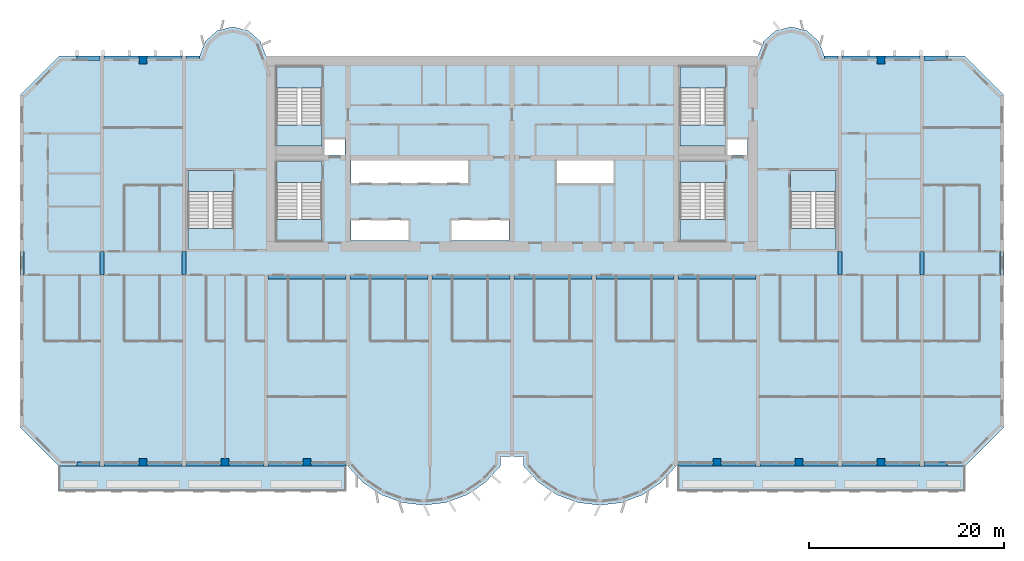
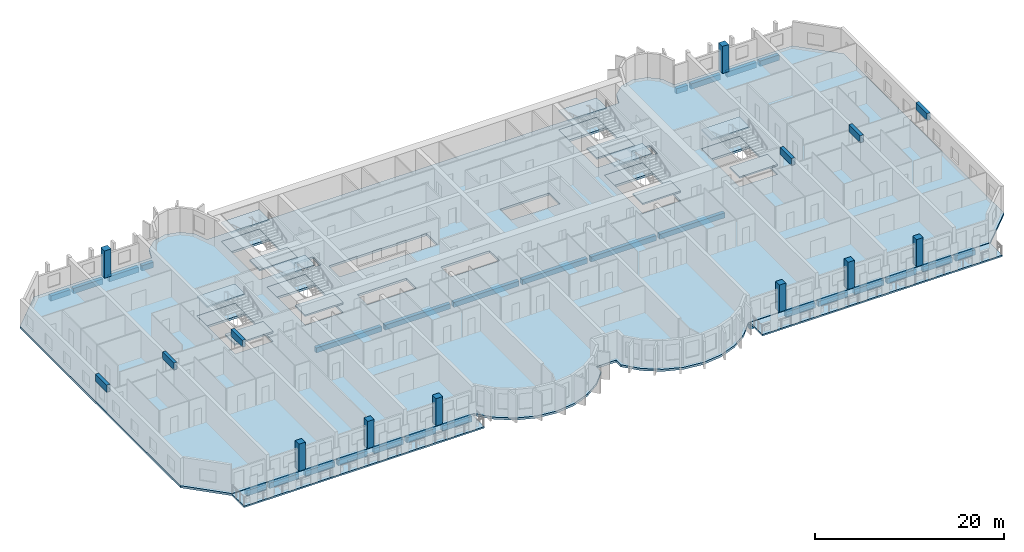
# One storey, part 1 of 15: 34 beams, 21 slabs, 8 columns, 6 elements without a shape of their own.
"""IFC4 building model written with IfcOpenShell, lengths in metres."""

from ifc_helpers import new_model, si_unit, direction, frame, origin, origin_2d, place, context, subcontext, project, spatial, polyline, rectangle, outline, extrude, source, transform, mapped, material, layer, layer_set, material_profile, profile_set, type_object, element, aggregate, save


model = new_model("IFC4")

# Units and contexts
model_context = context("Model", 3, precision=1e-05, world=origin(), true_north=direction((0.0, 1.0)))
body_context = subcontext(model_context, "Body", "Model", "MODEL_VIEW")
ifc_project = project(units=[si_unit("LENGTHUNIT", "METRE"), si_unit("AREAUNIT", "SQUARE_METRE"), si_unit("VOLUMEUNIT", "CUBIC_METRE"), si_unit("PLANEANGLEUNIT", "RADIAN"), si_unit("MASSUNIT", "GRAM", prefix="KILO")], contexts=[model_context])

# Site, building, storey
site_placement = place(None, origin())
site = spatial("IfcSite", under=ifc_project, at=site_placement, CompositionType="ELEMENT")
building_placement = place(site_placement, origin())
building = spatial("IfcBuilding", under=site, at=building_placement, Name="Vanashikhar Sky Hotel", CompositionType="ELEMENT")
storey_placement = place(building_placement, frame((0.0, 0.0, 62.0)))
storey = spatial("IfcBuildingStorey", under=building, at=storey_placement, Name="L14", CompositionType="ELEMENT", Elevation=62.0)

# Columns
ifc_material_1 = material(Name="Concrete M70", Category="concrete")
ifc_material_profile_1 = material_profile(ifc_material_1, rectangle(XDim=0.800048828125, YDim=0.800048828125, at=origin_2d()))
ifc_profile_set_1 = profile_set([ifc_material_profile_1], Name="RC 800x800 column Concrete M70")
column_type = type_object("IfcColumnType", Name="RC 800x800 column Concrete M70", PredefinedType="COLUMN", material=ifc_profile_set_1)
shared_shape_1 = source(origin(), body_context, "Body", "SweptSolid", [
    extrude(rectangle(XDim=0.800048828125, YDim=0.800048828125, at=origin_2d()), origin(), (0.0, 0.0, 1.0), 3.52001953125),
])
for number, where, z_axis, x_axis, name in (
    (1, (12.60009765625, 0.39990234375, 0.0), (0.0, 0.0, 1.0), (1.0, 0.0, 0.0), "CL-L14-CF02"),
    (2, (21.0, 0.39990234375, 0.0), (0.0, 0.0, 1.0), (1.0, 0.0, 0.0), "CL-L14-CF03"),
    (3, (29.39990234375, 0.39990234375, 0.0), (0.0, 0.0, 1.0), (1.0, 0.0, 0.0), "CL-L14-CF04"),
    (4, (71.39990234375, 0.39990234375, 0.0), (0.0, 0.0, 1.0), (1.0, 0.0, 0.0), "CL-L14-CF09"),
    (5, (79.800048828125, 0.39990234375, 0.0), (0.0, 0.0, 1.0), (1.0, 0.0, 0.0), "CL-L14-CF10"),
    (6, (88.199951171875, 0.39990234375, 0.0), (0.0, 0.0, 1.0), (1.0, 0.0, 0.0), "CL-L14-CF11"),
    (7, (12.60009765625, 41.60009765625, 0.0), (0.0, 0.0, 1.0), (1.0, 0.0, 0.0), "CL-L14-CR02"),
    (8, (88.199951171875, 41.60009765625, 0.0), (0.0, 0.0, 1.0), (1.0, 0.0, 0.0), "CL-L14-CR11"),
):
    element("IfcColumn", number, at=place(storey_placement, frame(where, z_axis=z_axis, x_axis=x_axis)), inside=storey, type_object=column_type, Name=name, PredefinedType="COLUMN", context=body_context, shape_type="MappedRepresentation", body=[
        mapped(shared_shape_1, transform((0.0, 0.0, 0.0), scale=1.0)),
    ])

# Beams
ifc_material_2 = material(Name="Concrete M50", Category="concrete")
ifc_material_profile_2 = material_profile(ifc_material_2, rectangle(XDim=0.39990234375, YDim=0.89990234375, at=origin_2d()))
ifc_profile_set_2 = profile_set([ifc_material_profile_2], Name="RC 400x900 beam Concrete M50")
beam_type_1 = type_object("IfcBeamType", Name="RC 400x900 beam Concrete M50", PredefinedType="LINTEL", material=ifc_profile_set_2)
shared_shape_2 = source(origin(), body_context, "Body", "SweptSolid", [
    extrude(rectangle(XDim=0.39990234375, YDim=0.89990234375, at=origin_2d()), origin(), (0.0, 0.0, 1.0), 2.39990234375),
])
for number, where, z_axis, x_axis, name in (
    (9, (0.199951171875, 19.60009765625, 3.070068359375), (0.0, 1.0, 0.0), (-1.0, 0.0, 0.0), "LB-L14-XW01"),
    (10, (8.39990234375, 19.60009765625, 3.070068359375), (0.0, 1.0, 0.0), (-1.0, 0.0, 0.0), "LB-L14-XW02"),
    (11, (16.800048828125, 19.60009765625, 3.070068359375), (0.0, 1.0, 0.0), (-1.0, 0.0, 0.0), "LB-L14-XW03"),
    (12, (84.0, 19.60009765625, 3.070068359375), (0.0, 1.0, 0.0), (-1.0, 0.0, 0.0), "LB-L14-XW11"),
    (13, (92.39990234375, 19.60009765625, 3.070068359375), (0.0, 1.0, 0.0), (-1.0, 0.0, 0.0), "LB-L14-XW12"),
    (14, (100.60009765625, 19.60009765625, 3.070068359375), (0.0, 1.0, 0.0), (-1.0, 0.0, 0.0), "LB-L14-XW13"),
):
    element("IfcBeam", number, at=place(storey_placement, frame(where, z_axis=z_axis, x_axis=x_axis)), inside=storey, type_object=beam_type_1, Name=name, PredefinedType="LINTEL", context=body_context, shape_type="MappedRepresentation", body=[
        mapped(shared_shape_2, transform((0.0, 0.0, 0.0), scale=1.0)),
    ])
ifc_material_profile_3 = material_profile(ifc_material_2, rectangle(XDim=0.449951171875, YDim=0.699951171875, at=origin_2d()))
ifc_profile_set_3 = profile_set([ifc_material_profile_3], Name="RC 450x700 beam Concrete M50")
beam_type_2 = type_object("IfcBeamType", Name="RC 450x700 beam Concrete M50", PredefinedType="BEAM", material=ifc_profile_set_3)
shared_shape_3 = source(origin(), body_context, "Body", "SweptSolid", [
    extrude(rectangle(XDim=0.449951171875, YDim=0.699951171875, at=origin_2d()), origin(), (0.0, 0.0, 1.0), 3.599853515625),
])
for number, where, z_axis, x_axis, name in (
    (15, (8.60009765625, 0.22509765625, -0.6298828125), (1.0, 0.0, 0.0), (0.0, 1.0, 0.0), "EB-L14-F01"),
    (16, (29.800048828125, 0.22509765625, -0.6298828125), (1.0, 0.0, 0.0), (0.0, 1.0, 0.0), "EB-L14-F06"),
    (17, (71.800048828125, 0.22509765625, -0.6298828125), (1.0, 0.0, 0.0), (0.0, 1.0, 0.0), "EB-L14-F09"),
    (18, (75.800048828125, 0.22509765625, -0.6298828125), (1.0, 0.0, 0.0), (0.0, 1.0, 0.0), "EB-L14-F10"),
    (19, (88.60009765625, 0.22509765625, -0.6298828125), (1.0, 0.0, 0.0), (0.0, 1.0, 0.0), "EB-L14-F13"),
    (20, (8.60009765625, 41.77490234375, -0.6298828125), (1.0, 0.0, 0.0), (0.0, 1.0, 0.0), "EB-L14-R01"),
    (21, (88.60009765625, 41.77490234375, -0.6298828125), (1.0, 0.0, 0.0), (0.0, 1.0, 0.0), "EB-L14-R06"),
):
    element("IfcBeam", number, at=place(storey_placement, frame(where, z_axis=z_axis, x_axis=x_axis)), inside=storey, type_object=beam_type_2, Name=name, PredefinedType="BEAM", context=body_context, shape_type="MappedRepresentation", body=[
        mapped(shared_shape_3, transform((0.0, 0.0, 0.0), scale=1.0)),
    ])
shared_shape_4 = source(origin(), body_context, "Body", "SweptSolid", [
    extrude(rectangle(XDim=0.449951171875, YDim=0.699951171875, at=origin_2d()), origin(), (0.0, 0.0, 1.0), 3.60009765625),
])
for number, where, z_axis, x_axis, name in (
    (22, (13.0, 0.22509765625, -0.6298828125), (1.0, 0.0, 0.0), (0.0, 1.0, 0.0), "EB-L14-F02"),
    (23, (17.0, 0.22509765625, -0.6298828125), (1.0, 0.0, 0.0), (0.0, 1.0, 0.0), "EB-L14-F03"),
    (24, (21.39990234375, 0.22509765625, -0.6298828125), (1.0, 0.0, 0.0), (0.0, 1.0, 0.0), "EB-L14-F04"),
    (25, (25.39990234375, 0.22509765625, -0.6298828125), (1.0, 0.0, 0.0), (0.0, 1.0, 0.0), "EB-L14-F05"),
    (26, (67.39990234375, 0.22509765625, -0.6298828125), (1.0, 0.0, 0.0), (0.0, 1.0, 0.0), "EB-L14-F08"),
    (27, (80.199951171875, 0.22509765625, -0.6298828125), (1.0, 0.0, 0.0), (0.0, 1.0, 0.0), "EB-L14-F11"),
    (28, (84.199951171875, 0.22509765625, -0.6298828125), (1.0, 0.0, 0.0), (0.0, 1.0, 0.0), "EB-L14-F12"),
    (29, (13.0, 41.77490234375, -0.6298828125), (1.0, 0.0, 0.0), (0.0, 1.0, 0.0), "EB-L14-R02"),
    (30, (84.199951171875, 41.77490234375, -0.6298828125), (1.0, 0.0, 0.0), (0.0, 1.0, 0.0), "EB-L14-R05"),
):
    element("IfcBeam", number, at=place(storey_placement, frame(where, z_axis=z_axis, x_axis=x_axis)), inside=storey, type_object=beam_type_2, Name=name, PredefinedType="BEAM", context=body_context, shape_type="MappedRepresentation", body=[
        mapped(shared_shape_4, transform((0.0, 0.0, 0.0), scale=1.0)),
    ])
ifc_material_profile_4 = material_profile(ifc_material_2, rectangle(XDim=0.449951171875, YDim=0.699951171875, at=origin_2d()))
ifc_profile_set_4 = profile_set([ifc_material_profile_4], Name="RC 450x700 cantilever beam Concrete M50")
beam_type_3 = type_object("IfcBeamType", Name="RC 450x700 cantilever beam Concrete M50", PredefinedType="SPANDREL", material=ifc_profile_set_4)
shared_shape_5 = source(origin(), body_context, "Body", "SweptSolid", [
    extrude(rectangle(XDim=0.449951171875, YDim=0.699951171875, at=origin_2d()), origin(), (0.0, 0.0, 1.0), 2.3798828125),
])
for number, where, z_axis, x_axis, name in (
    (31, (5.820068359375, 0.22509765625, -0.6298828125), (1.0, 0.0, 0.0), (0.0, 1.0, 0.0), "EB-L14-F07"),
    (32, (92.60009765625, 0.22509765625, -0.6298828125), (1.0, 0.0, 0.0), (0.0, 1.0, 0.0), "EB-L14-F14"),
    (33, (5.820068359375, 41.77490234375, -0.6298828125), (1.0, 0.0, 0.0), (0.0, 1.0, 0.0), "EB-L14-R03"),
    (34, (92.60009765625, 41.77490234375, -0.6298828125), (1.0, 0.0, 0.0), (0.0, 1.0, 0.0), "EB-L14-R08"),
):
    element("IfcBeam", number, at=place(storey_placement, frame(where, z_axis=z_axis, x_axis=x_axis)), inside=storey, type_object=beam_type_3, Name=name, PredefinedType="SPANDREL", context=body_context, shape_type="MappedRepresentation", body=[
        mapped(shared_shape_5, transform((0.0, 0.0, 0.0), scale=1.0)),
    ])
shared_shape_6 = source(origin(), body_context, "Body", "SweptSolid", [
    extrude(rectangle(XDim=0.449951171875, YDim=0.699951171875, at=origin_2d()), origin(), (0.0, 0.0, 1.0), 1.39990234375),
])
beam_1_placement = place(storey_placement, frame((17.0, 41.77490234375, -0.6298828125), z_axis=(1.0, 0.0, 0.0), x_axis=(0.0, 1.0, 0.0)))
element("IfcBeam", 35, at=beam_1_placement, inside=storey, type_object=beam_type_3, Name="EB-L14-R04", PredefinedType="SPANDREL", context=body_context, shape_type="MappedRepresentation", body=[
    mapped(shared_shape_6, transform((0.0, 0.0, 0.0), scale=1.0)),
])
shared_shape_7 = source(origin(), body_context, "Body", "SweptSolid", [
    extrude(rectangle(XDim=0.449951171875, YDim=0.699951171875, at=origin_2d()), origin(), (0.0, 0.0, 1.0), 1.400146484375),
])
beam_2_placement = place(storey_placement, frame((82.39990234375, 41.77490234375, -0.6298828125), z_axis=(1.0, 0.0, 0.0), x_axis=(0.0, 1.0, 0.0)))
element("IfcBeam", 36, at=beam_2_placement, inside=storey, type_object=beam_type_3, Name="EB-L14-R07", PredefinedType="SPANDREL", context=body_context, shape_type="MappedRepresentation", body=[
    mapped(shared_shape_7, transform((0.0, 0.0, 0.0), scale=1.0)),
])
ifc_material_profile_5 = material_profile(ifc_material_2, rectangle(XDim=0.449951171875, YDim=0.64990234375, at=origin_2d()))
ifc_profile_set_5 = profile_set([ifc_material_profile_5], Name="RC 450x650 beam Concrete M50")
beam_type_4 = type_object("IfcBeamType", Name="RC 450x650 beam Concrete M50", PredefinedType="BEAM", material=ifc_profile_set_5)
shared_shape_8 = source(origin(), body_context, "Body", "SweptSolid", [
    extrude(rectangle(XDim=0.449951171875, YDim=0.64990234375, at=origin_2d()), origin(), (0.0, 0.0, 1.0), 8.0),
])
for number, where, z_axis, x_axis, name in (
    (37, (25.39990234375, 19.375, -0.60498046875), (1.0, 0.0, 0.0), (0.0, 1.0, 0.0), "CB-L14-01"),
    (38, (33.800048828125, 19.375, -0.60498046875), (1.0, 0.0, 0.0), (0.0, 1.0, 0.0), "CB-L14-02"),
    (39, (42.199951171875, 19.375, -0.60498046875), (1.0, 0.0, 0.0), (0.0, 1.0, 0.0), "CB-L14-03"),
    (40, (50.60009765625, 19.375, -0.60498046875), (1.0, 0.0, 0.0), (0.0, 1.0, 0.0), "CB-L14-04"),
    (41, (59.0, 19.375, -0.60498046875), (1.0, 0.0, 0.0), (0.0, 1.0, 0.0), "CB-L14-05"),
    (42, (67.39990234375, 19.375, -0.60498046875), (1.0, 0.0, 0.0), (0.0, 1.0, 0.0), "CB-L14-06"),
):
    element("IfcBeam", number, at=place(storey_placement, frame(where, z_axis=z_axis, x_axis=x_axis)), inside=storey, type_object=beam_type_4, Name=name, PredefinedType="BEAM", context=body_context, shape_type="MappedRepresentation", body=[
        mapped(shared_shape_8, transform((0.0, 0.0, 0.0), scale=1.0)),
    ])

# Slabs
ifc_material_3 = material(Name="Concrete M40", Category="concrete")
ifc_layer_1 = layer(ifc_material_3, 0.280029296875)
ifc_layer_set_1 = layer_set([ifc_layer_1], Name="Floor slab 280 mm")
slab_type_1 = type_object("IfcSlabType", Name="Floor slab 280 mm", PredefinedType="FLOOR", material=ifc_layer_set_1)
shared_shape_9 = source(origin(), body_context, "Body", "SweptSolid", [
    extrude(outline(polyline([(49.199951171875, 0.0), (49.199951171875, 1.0), (51.60009765625, 1.0), (51.60009765625, 0.0), (53.133056640625, -1.674072265625), (55.01708984375, -2.94189453125), (57.14599609375, -3.73193359375), (59.39990234375, -4.0), (61.654052734375, -3.73193359375), (63.782958984375, -2.94189453125), (65.6669921875, -1.674072265625), (67.199951171875, 0.0), (96.800048828125, 0.0), (100.800048828125, 4.0), (100.800048828125, 38.0), (96.800048828125, 42.0), (82.39990234375, 42.0), (81.81494140625, 43.527099609375), (80.587890625, 44.610107421875), (79.0, 45.0), (77.412109375, 44.610107421875), (76.18505859375, 43.527099609375), (75.60009765625, 42.0), (25.199951171875, 42.0), (24.614990234375, 43.527099609375), (23.387939453125, 44.610107421875), (21.800048828125, 45.0), (20.2119140625, 44.610107421875), (18.985107421875, 43.527099609375), (18.39990234375, 42.0), (4.0, 42.0), (0.0, 38.0), (0.0, 4.0), (4.0, 0.0), (33.60009765625, 0.0), (35.133056640625, -1.674072265625), (37.01708984375, -2.94189453125), (39.14599609375, -3.73193359375), (41.39990234375, -4.0), (43.654052734375, -3.73193359375), (45.782958984375, -2.94189453125), (47.6669921875, -1.674072265625), (49.199951171875, 0.0)]), holes=[polyline([(33.300048828125, 33.60009765625), (31.050048828125, 33.60009765625), (31.050048828125, 31.89990234375), (33.300048828125, 31.89990234375), (33.300048828125, 33.60009765625)]), polyline([(33.89990234375, 25.199951171875), (33.89990234375, 23.10009765625), (39.89990234375, 23.10009765625), (39.89990234375, 25.199951171875), (33.89990234375, 25.199951171875)]), polyline([(33.89990234375, 31.300048828125), (33.89990234375, 29.0), (45.89990234375, 29.0), (45.89990234375, 31.300048828125), (33.89990234375, 31.300048828125)]), polyline([(44.10009765625, 25.199951171875), (44.10009765625, 23.10009765625), (50.10009765625, 23.10009765625), (50.10009765625, 25.199951171875), (44.10009765625, 25.199951171875)]), polyline([(54.89990234375, 31.300048828125), (54.89990234375, 29.0), (60.89990234375, 29.0), (60.89990234375, 31.300048828125), (54.89990234375, 31.300048828125)]), polyline([(74.5, 33.60009765625), (72.35009765625, 33.60009765625), (72.35009765625, 31.89990234375), (74.5, 31.89990234375), (74.5, 33.60009765625)]), polyline([(30.949951171875, 23.10009765625), (30.949951171875, 31.199951171875), (26.300048828125, 31.199951171875), (26.300048828125, 23.10009765625), (30.949951171875, 23.10009765625)]), polyline([(72.25, 23.10009765625), (72.25, 31.199951171875), (67.60009765625, 31.199951171875), (67.60009765625, 23.10009765625), (72.25, 23.10009765625)]), polyline([(30.949951171875, 32.800048828125), (30.949951171875, 40.89990234375), (26.300048828125, 40.89990234375), (26.300048828125, 32.800048828125), (30.949951171875, 32.800048828125)]), polyline([(72.25, 32.800048828125), (72.25, 40.89990234375), (67.60009765625, 40.89990234375), (67.60009765625, 32.800048828125), (72.25, 32.800048828125)]), polyline([(83.60009765625, 22.199951171875), (83.60009765625, 30.300048828125), (78.949951171875, 30.300048828125), (78.949951171875, 22.199951171875), (83.60009765625, 22.199951171875)]), polyline([(21.85009765625, 22.199951171875), (21.85009765625, 30.300048828125), (17.199951171875, 30.300048828125), (17.199951171875, 22.199951171875), (21.85009765625, 22.199951171875)])]), origin(), (0.0, 0.0, 1.0), 0.280029296875),
])
slab_1_placement = place(storey_placement, frame((0.0, 0.0, -0.280029296875)))
element("IfcSlab", 43, at=slab_1_placement, inside=storey, type_object=slab_type_1, Name="Floor slab L14", PredefinedType="FLOOR", context=body_context, shape_type="MappedRepresentation", body=[
    mapped(shared_shape_9, transform((0.0, 0.0, 0.0), scale=1.0)),
])
ifc_layer_2 = layer(ifc_material_3, 0.199951171875)
ifc_layer_set_2 = layer_set([ifc_layer_2], Name="Balcony slab 200 mm")
slab_type_2 = type_object("IfcSlabType", Name="Balcony slab 200 mm", PredefinedType="USERDEFINED", material=ifc_layer_set_2)
shared_shape_10 = source(origin(), body_context, "Body", "SweptSolid", [
    extrude(outline(polyline([(4.0, -2.60009765625), (33.39990234375, -2.60009765625), (33.39990234375, 0.0), (4.0, 0.0), (4.0, -2.60009765625)])), origin(), (0.0, 0.0, 1.0), 0.199951171875),
])
slab_2_placement = place(storey_placement, frame((0.0, 0.0, -0.25)))
element("IfcSlab", 44, at=slab_2_placement, inside=storey, type_object=slab_type_2, Name="Balcony slab L14 1", ObjectType="BALCONY", PredefinedType="USERDEFINED", context=body_context, shape_type="MappedRepresentation", body=[
    mapped(shared_shape_10, transform((0.0, 0.0, 0.0), scale=1.0)),
])
shared_shape_11 = source(origin(), body_context, "Body", "SweptSolid", [
    extrude(outline(polyline([(67.39990234375, -2.60009765625), (96.800048828125, -2.60009765625), (96.800048828125, 0.0), (67.39990234375, 0.0), (67.39990234375, -2.60009765625)])), origin(), (0.0, 0.0, 1.0), 0.199951171875),
])
slab_3_placement = place(storey_placement, frame((0.0, 0.0, -0.25)))
element("IfcSlab", 45, at=slab_3_placement, inside=storey, type_object=slab_type_2, Name="Balcony slab L14 2", ObjectType="BALCONY", PredefinedType="USERDEFINED", context=body_context, shape_type="MappedRepresentation", body=[
    mapped(shared_shape_11, transform((0.0, 0.0, 0.0), scale=1.0)),
])

# Stair, slabs
stair_type = type_object("IfcStairType", Name="Exit stair 2150", PredefinedType="DOUBLE_RETURN_STAIR", material=ifc_material_3)
stair_1_placement = place(storey_placement, origin())
stair_1 = element("IfcStair", 46, at=stair_1_placement, inside=storey, type_object=stair_type, Name="L14 Exit stair 1", PredefinedType="DOUBLE_RETURN_STAIR")
ifc_layer_3 = layer(ifc_material_3, 0.199951171875)
ifc_layer_set_3 = layer_set([ifc_layer_3], Name="Stair landing 200")
slab_type_3 = type_object("IfcSlabType", Name="Stair landing 200", PredefinedType="LANDING", material=ifc_layer_set_3)
shared_shape_12 = source(origin(), body_context, "Body", "SweptSolid", [
    extrude(outline(polyline([(30.949951171875, 23.10009765625), (30.949951171875, 25.25), (26.300048828125, 25.25), (26.300048828125, 23.10009765625), (30.949951171875, 23.10009765625)])), origin(), (0.0, 0.0, 1.0), 0.199951171875),
])
slab_4_placement = place(storey_placement, frame((0.0, 0.0, 1.066650390625)))
slab_4 = element("IfcSlab", 47, at=slab_4_placement, type_object=slab_type_3, Name="ST-C1 landing 1", PredefinedType="LANDING", context=body_context, shape_type="MappedRepresentation", body=[
    mapped(shared_shape_12, transform((0.0, 0.0, 0.0), scale=1.0)),
])
shared_shape_13 = source(origin(), body_context, "Body", "SweptSolid", [
    extrude(outline(polyline([(30.949951171875, 29.050048828125), (30.949951171875, 31.199951171875), (26.300048828125, 31.199951171875), (26.300048828125, 29.050048828125), (30.949951171875, 29.050048828125)])), origin(), (0.0, 0.0, 1.0), 0.2001953125),
])
slab_5_placement = place(storey_placement, frame((0.0, 0.0, 2.333251953125)))
slab_5 = element("IfcSlab", 48, at=slab_5_placement, type_object=slab_type_3, Name="ST-C1 landing 2", PredefinedType="LANDING", context=body_context, shape_type="MappedRepresentation", body=[
    mapped(shared_shape_13, transform((0.0, 0.0, 0.0), scale=1.0)),
])
aggregate(stair_1, [slab_4, slab_5])

# Slab
ifc_layer_4 = layer(ifc_material_3, 0.280029296875)
ifc_layer_set_4 = layer_set([ifc_layer_4], Name="Stair floor landing 280")
slab_type_4 = type_object("IfcSlabType", Name="Stair floor landing 280", PredefinedType="LANDING", material=ifc_layer_set_4)
shared_shape_14 = source(origin(), body_context, "Body", "SweptSolid", [
    extrude(outline(polyline([(30.949951171875, 29.050048828125), (30.949951171875, 31.199951171875), (26.300048828125, 31.199951171875), (26.300048828125, 29.050048828125), (30.949951171875, 29.050048828125)])), origin(), (0.0, 0.0, 1.0), 0.280029296875),
])
slab_6_placement = place(storey_placement, frame((0.0, 0.0, -0.280029296875)))
element("IfcSlab", 49, at=slab_6_placement, inside=storey, type_object=slab_type_4, Name="Exit stair 1 floor landing", PredefinedType="LANDING", context=body_context, shape_type="MappedRepresentation", body=[
    mapped(shared_shape_14, transform((0.0, 0.0, 0.0), scale=1.0)),
])

# Stair, slabs
stair_2_placement = place(storey_placement, origin())
stair_2 = element("IfcStair", 50, at=stair_2_placement, inside=storey, type_object=stair_type, Name="L14 Exit stair 2", PredefinedType="DOUBLE_RETURN_STAIR")
shared_shape_15 = source(origin(), body_context, "Body", "SweptSolid", [
    extrude(outline(polyline([(72.25, 23.10009765625), (72.25, 25.25), (67.60009765625, 25.25), (67.60009765625, 23.10009765625), (72.25, 23.10009765625)])), origin(), (0.0, 0.0, 1.0), 0.199951171875),
])
slab_7_placement = place(storey_placement, frame((0.0, 0.0, 1.066650390625)))
slab_7 = element("IfcSlab", 51, at=slab_7_placement, type_object=slab_type_3, Name="ST-C2 landing 1", PredefinedType="LANDING", context=body_context, shape_type="MappedRepresentation", body=[
    mapped(shared_shape_15, transform((0.0, 0.0, 0.0), scale=1.0)),
])
shared_shape_16 = source(origin(), body_context, "Body", "SweptSolid", [
    extrude(outline(polyline([(72.25, 29.050048828125), (72.25, 31.199951171875), (67.60009765625, 31.199951171875), (67.60009765625, 29.050048828125), (72.25, 29.050048828125)])), origin(), (0.0, 0.0, 1.0), 0.2001953125),
])
slab_8_placement = place(storey_placement, frame((0.0, 0.0, 2.333251953125)))
slab_8 = element("IfcSlab", 52, at=slab_8_placement, type_object=slab_type_3, Name="ST-C2 landing 2", PredefinedType="LANDING", context=body_context, shape_type="MappedRepresentation", body=[
    mapped(shared_shape_16, transform((0.0, 0.0, 0.0), scale=1.0)),
])
aggregate(stair_2, [slab_7, slab_8])

# Slab
shared_shape_17 = source(origin(), body_context, "Body", "SweptSolid", [
    extrude(outline(polyline([(72.25, 29.050048828125), (72.25, 31.199951171875), (67.60009765625, 31.199951171875), (67.60009765625, 29.050048828125), (72.25, 29.050048828125)])), origin(), (0.0, 0.0, 1.0), 0.280029296875),
])
slab_9_placement = place(storey_placement, frame((0.0, 0.0, -0.280029296875)))
element("IfcSlab", 53, at=slab_9_placement, inside=storey, type_object=slab_type_4, Name="Exit stair 2 floor landing", PredefinedType="LANDING", context=body_context, shape_type="MappedRepresentation", body=[
    mapped(shared_shape_17, transform((0.0, 0.0, 0.0), scale=1.0)),
])

# Stair, slabs
stair_3_placement = place(storey_placement, origin())
stair_3 = element("IfcStair", 54, at=stair_3_placement, inside=storey, type_object=stair_type, Name="L14 Exit stair 3", PredefinedType="DOUBLE_RETURN_STAIR")
shared_shape_18 = source(origin(), body_context, "Body", "SweptSolid", [
    extrude(outline(polyline([(21.85009765625, 22.199951171875), (21.85009765625, 24.35009765625), (17.199951171875, 24.35009765625), (17.199951171875, 22.199951171875), (21.85009765625, 22.199951171875)])), origin(), (0.0, 0.0, 1.0), 0.199951171875),
])
slab_10_placement = place(storey_placement, frame((0.0, 0.0, 1.066650390625)))
slab_10 = element("IfcSlab", 55, at=slab_10_placement, type_object=slab_type_3, Name="ST-W landing 1", PredefinedType="LANDING", context=body_context, shape_type="MappedRepresentation", body=[
    mapped(shared_shape_18, transform((0.0, 0.0, 0.0), scale=1.0)),
])
shared_shape_19 = source(origin(), body_context, "Body", "SweptSolid", [
    extrude(outline(polyline([(21.85009765625, 28.14990234375), (21.85009765625, 30.300048828125), (17.199951171875, 30.300048828125), (17.199951171875, 28.14990234375), (21.85009765625, 28.14990234375)])), origin(), (0.0, 0.0, 1.0), 0.2001953125),
])
slab_11_placement = place(storey_placement, frame((0.0, 0.0, 2.333251953125)))
slab_11 = element("IfcSlab", 56, at=slab_11_placement, type_object=slab_type_3, Name="ST-W landing 2", PredefinedType="LANDING", context=body_context, shape_type="MappedRepresentation", body=[
    mapped(shared_shape_19, transform((0.0, 0.0, 0.0), scale=1.0)),
])
aggregate(stair_3, [slab_10, slab_11])

# Slab
shared_shape_20 = source(origin(), body_context, "Body", "SweptSolid", [
    extrude(outline(polyline([(21.85009765625, 28.14990234375), (21.85009765625, 30.300048828125), (17.199951171875, 30.300048828125), (17.199951171875, 28.14990234375), (21.85009765625, 28.14990234375)])), origin(), (0.0, 0.0, 1.0), 0.280029296875),
])
slab_12_placement = place(storey_placement, frame((0.0, 0.0, -0.280029296875)))
element("IfcSlab", 57, at=slab_12_placement, inside=storey, type_object=slab_type_4, Name="Exit stair 3 floor landing", PredefinedType="LANDING", context=body_context, shape_type="MappedRepresentation", body=[
    mapped(shared_shape_20, transform((0.0, 0.0, 0.0), scale=1.0)),
])

# Stair, slabs
stair_4_placement = place(storey_placement, origin())
stair_4 = element("IfcStair", 58, at=stair_4_placement, inside=storey, type_object=stair_type, Name="L14 Exit stair 4", PredefinedType="DOUBLE_RETURN_STAIR")
shared_shape_21 = source(origin(), body_context, "Body", "SweptSolid", [
    extrude(outline(polyline([(83.60009765625, 22.199951171875), (83.60009765625, 24.35009765625), (78.949951171875, 24.35009765625), (78.949951171875, 22.199951171875), (83.60009765625, 22.199951171875)])), origin(), (0.0, 0.0, 1.0), 0.199951171875),
])
slab_13_placement = place(storey_placement, frame((0.0, 0.0, 1.066650390625)))
slab_13 = element("IfcSlab", 59, at=slab_13_placement, type_object=slab_type_3, Name="ST-E landing 1", PredefinedType="LANDING", context=body_context, shape_type="MappedRepresentation", body=[
    mapped(shared_shape_21, transform((0.0, 0.0, 0.0), scale=1.0)),
])
shared_shape_22 = source(origin(), body_context, "Body", "SweptSolid", [
    extrude(outline(polyline([(83.60009765625, 28.14990234375), (83.60009765625, 30.300048828125), (78.949951171875, 30.300048828125), (78.949951171875, 28.14990234375), (83.60009765625, 28.14990234375)])), origin(), (0.0, 0.0, 1.0), 0.2001953125),
])
slab_14_placement = place(storey_placement, frame((0.0, 0.0, 2.333251953125)))
slab_14 = element("IfcSlab", 60, at=slab_14_placement, type_object=slab_type_3, Name="ST-E landing 2", PredefinedType="LANDING", context=body_context, shape_type="MappedRepresentation", body=[
    mapped(shared_shape_22, transform((0.0, 0.0, 0.0), scale=1.0)),
])
aggregate(stair_4, [slab_13, slab_14])

# Slab
shared_shape_23 = source(origin(), body_context, "Body", "SweptSolid", [
    extrude(outline(polyline([(83.60009765625, 28.14990234375), (83.60009765625, 30.300048828125), (78.949951171875, 30.300048828125), (78.949951171875, 28.14990234375), (83.60009765625, 28.14990234375)])), origin(), (0.0, 0.0, 1.0), 0.280029296875),
])
slab_15_placement = place(storey_placement, frame((0.0, 0.0, -0.280029296875)))
element("IfcSlab", 61, at=slab_15_placement, inside=storey, type_object=slab_type_4, Name="Exit stair 4 floor landing", PredefinedType="LANDING", context=body_context, shape_type="MappedRepresentation", body=[
    mapped(shared_shape_23, transform((0.0, 0.0, 0.0), scale=1.0)),
])

# Stair, slabs
stair_5_placement = place(storey_placement, origin())
stair_5 = element("IfcStair", 62, at=stair_5_placement, inside=storey, type_object=stair_type, Name="L14 Exit stair 5", PredefinedType="DOUBLE_RETURN_STAIR")
shared_shape_24 = source(origin(), body_context, "Body", "SweptSolid", [
    extrude(outline(polyline([(30.949951171875, 32.800048828125), (30.949951171875, 34.949951171875), (26.300048828125, 34.949951171875), (26.300048828125, 32.800048828125), (30.949951171875, 32.800048828125)])), origin(), (0.0, 0.0, 1.0), 0.199951171875),
])
slab_16_placement = place(storey_placement, frame((0.0, 0.0, 1.066650390625)))
slab_16 = element("IfcSlab", 63, at=slab_16_placement, type_object=slab_type_3, Name="ST-C3 landing 1", PredefinedType="LANDING", context=body_context, shape_type="MappedRepresentation", body=[
    mapped(shared_shape_24, transform((0.0, 0.0, 0.0), scale=1.0)),
])
shared_shape_25 = source(origin(), body_context, "Body", "SweptSolid", [
    extrude(outline(polyline([(30.949951171875, 38.75), (30.949951171875, 40.89990234375), (26.300048828125, 40.89990234375), (26.300048828125, 38.75), (30.949951171875, 38.75)])), origin(), (0.0, 0.0, 1.0), 0.2001953125),
])
slab_17_placement = place(storey_placement, frame((0.0, 0.0, 2.333251953125)))
slab_17 = element("IfcSlab", 64, at=slab_17_placement, type_object=slab_type_3, Name="ST-C3 landing 2", PredefinedType="LANDING", context=body_context, shape_type="MappedRepresentation", body=[
    mapped(shared_shape_25, transform((0.0, 0.0, 0.0), scale=1.0)),
])
aggregate(stair_5, [slab_16, slab_17])

# Slab
shared_shape_26 = source(origin(), body_context, "Body", "SweptSolid", [
    extrude(outline(polyline([(30.949951171875, 38.75), (30.949951171875, 40.89990234375), (26.300048828125, 40.89990234375), (26.300048828125, 38.75), (30.949951171875, 38.75)])), origin(), (0.0, 0.0, 1.0), 0.280029296875),
])
slab_18_placement = place(storey_placement, frame((0.0, 0.0, -0.280029296875)))
element("IfcSlab", 65, at=slab_18_placement, inside=storey, type_object=slab_type_4, Name="Exit stair 5 floor landing", PredefinedType="LANDING", context=body_context, shape_type="MappedRepresentation", body=[
    mapped(shared_shape_26, transform((0.0, 0.0, 0.0), scale=1.0)),
])

# Stair, slabs
stair_6_placement = place(storey_placement, origin())
stair_6 = element("IfcStair", 66, at=stair_6_placement, inside=storey, type_object=stair_type, Name="L14 Exit stair 6", PredefinedType="DOUBLE_RETURN_STAIR")
shared_shape_27 = source(origin(), body_context, "Body", "SweptSolid", [
    extrude(outline(polyline([(72.25, 32.800048828125), (72.25, 34.949951171875), (67.60009765625, 34.949951171875), (67.60009765625, 32.800048828125), (72.25, 32.800048828125)])), origin(), (0.0, 0.0, 1.0), 0.199951171875),
])
slab_19_placement = place(storey_placement, frame((0.0, 0.0, 1.066650390625)))
slab_19 = element("IfcSlab", 67, at=slab_19_placement, type_object=slab_type_3, Name="ST-C4 landing 1", PredefinedType="LANDING", context=body_context, shape_type="MappedRepresentation", body=[
    mapped(shared_shape_27, transform((0.0, 0.0, 0.0), scale=1.0)),
])
shared_shape_28 = source(origin(), body_context, "Body", "SweptSolid", [
    extrude(outline(polyline([(72.25, 38.75), (72.25, 40.89990234375), (67.60009765625, 40.89990234375), (67.60009765625, 38.75), (72.25, 38.75)])), origin(), (0.0, 0.0, 1.0), 0.2001953125),
])
slab_20_placement = place(storey_placement, frame((0.0, 0.0, 2.333251953125)))
slab_20 = element("IfcSlab", 68, at=slab_20_placement, type_object=slab_type_3, Name="ST-C4 landing 2", PredefinedType="LANDING", context=body_context, shape_type="MappedRepresentation", body=[
    mapped(shared_shape_28, transform((0.0, 0.0, 0.0), scale=1.0)),
])
aggregate(stair_6, [slab_19, slab_20])

# Slab
shared_shape_29 = source(origin(), body_context, "Body", "SweptSolid", [
    extrude(outline(polyline([(72.25, 38.75), (72.25, 40.89990234375), (67.60009765625, 40.89990234375), (67.60009765625, 38.75), (72.25, 38.75)])), origin(), (0.0, 0.0, 1.0), 0.280029296875),
])
slab_21_placement = place(storey_placement, frame((0.0, 0.0, -0.280029296875)))
element("IfcSlab", 69, at=slab_21_placement, inside=storey, type_object=slab_type_4, Name="Exit stair 6 floor landing", PredefinedType="LANDING", context=body_context, shape_type="MappedRepresentation", body=[
    mapped(shared_shape_29, transform((0.0, 0.0, 0.0), scale=1.0)),
])

save(model, "model.ifc")
